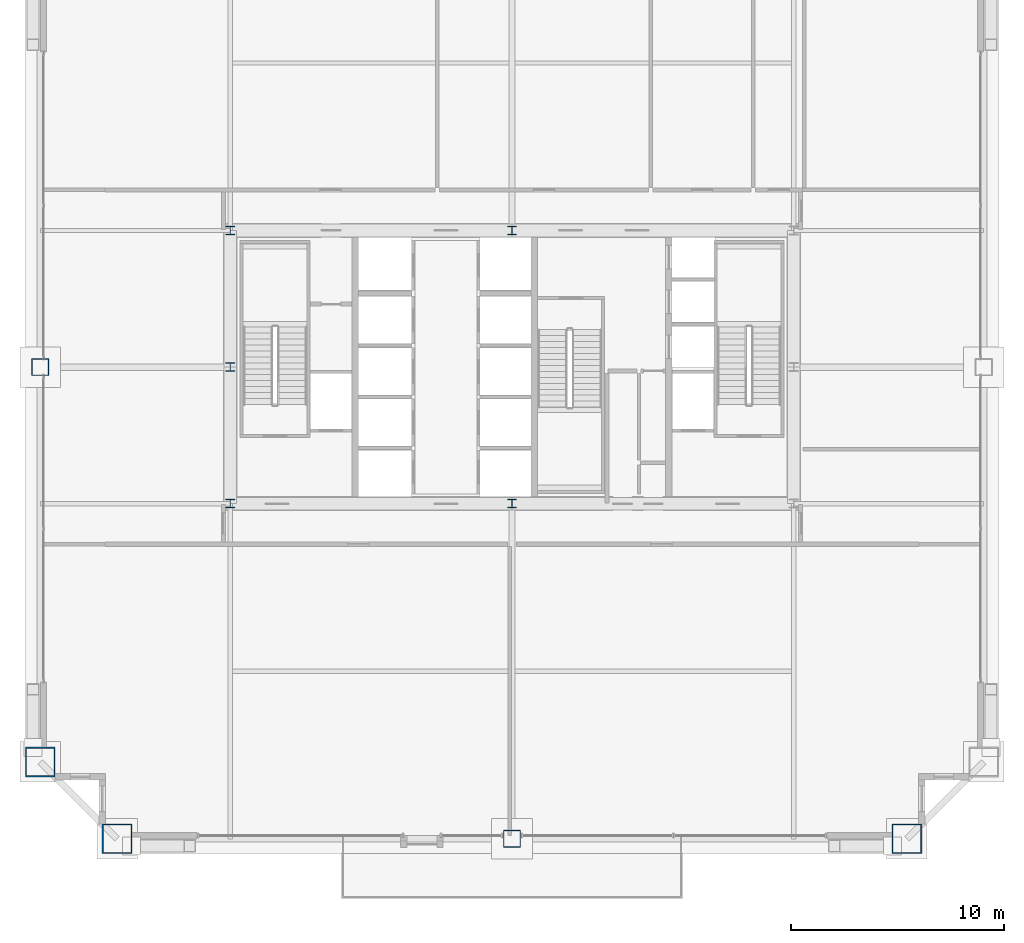
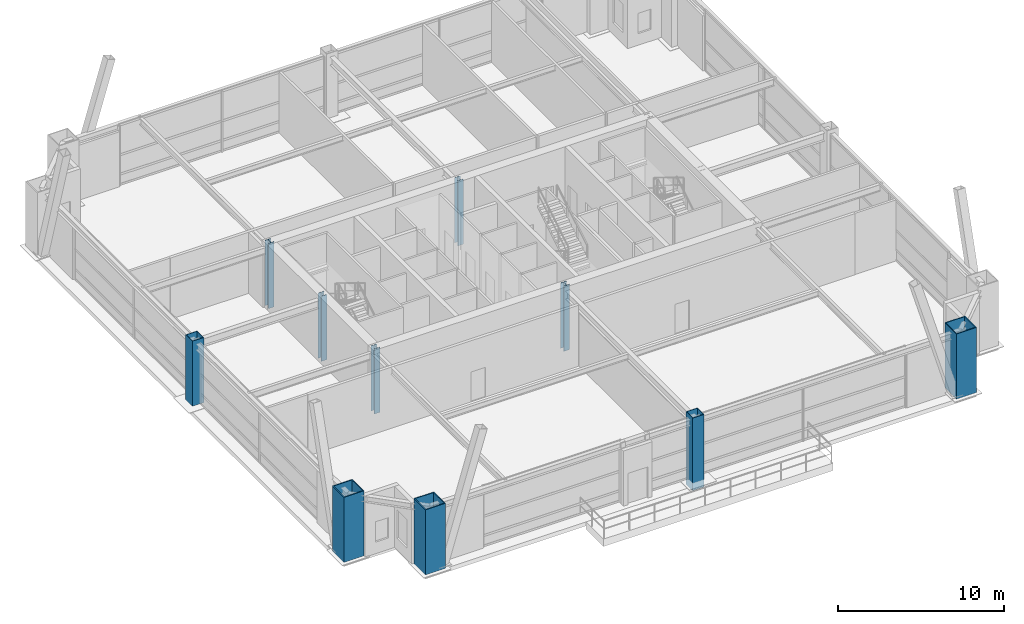
# One storey, part 1 of 34: 10 columns.
"""IFC4 building model written with IfcOpenShell, lengths in metres."""

from ifc_helpers import new_model, si_unit, direction, frame, origin, origin_2d, place, context, subcontext, project, spatial, hollow_rectangle, i_section, extrude, source, transform, mapped, material, material_profile, profile_set, type_object, element, save


model = new_model("IFC4")

# Units and contexts
model_context = context("Model", 3, precision=1e-05, world=origin(), true_north=direction((0.0, 1.0)))
body_context = subcontext(model_context, "Body", "Model", "MODEL_VIEW")
ifc_project = project(units=[si_unit("LENGTHUNIT", "METRE"), si_unit("AREAUNIT", "SQUARE_METRE"), si_unit("VOLUMEUNIT", "CUBIC_METRE"), si_unit("PLANEANGLEUNIT", "RADIAN"), si_unit("MASSUNIT", "GRAM", prefix="KILO"), si_unit("THERMODYNAMICTEMPERATUREUNIT", "KELVIN"), si_unit("POWERUNIT", "WATT")], contexts=[model_context])

# Site, building, storey
site_placement = place(None, origin())
site = spatial("IfcSite", under=ifc_project, at=site_placement, CompositionType="ELEMENT")
building_placement = place(site_placement, origin())
building = spatial("IfcBuilding", under=site, at=building_placement, Name="Yuzanri Waterfront Tower", CompositionType="ELEMENT")
storey_placement = place(building_placement, frame((0.0, 0.0, 166.800048828125)))
storey = spatial("IfcBuildingStorey", under=building, at=storey_placement, Name="L44", CompositionType="ELEMENT", Elevation=166.800048828125)

# Columns
ifc_material_1 = material(Name="Steel Q355B", Category="steel")
ifc_material_profile_1 = material_profile(ifc_material_1, i_section(OverallWidth=0.39990234375, OverallDepth=0.39990234375, WebThickness=0.012939453125, FlangeThickness=0.02099609375, at=origin_2d()), Name="HW 400x400x13x21")
ifc_profile_set_1 = profile_set([ifc_material_profile_1], Name="Steel Q355B")
column_type_1 = type_object("IfcColumnType", Name="Core Post Q355B HW 400x400x13x21", PredefinedType="COLUMN", material=ifc_profile_set_1)
shared_shape_1 = source(origin(), body_context, "Body", "SweptSolid", [
    extrude(i_section(OverallWidth=0.39990234375, OverallDepth=0.39990234375, WebThickness=0.012939453125, FlangeThickness=0.02099609375, at=origin_2d()), origin(), (0.0, 0.0, 1.0), 4.800048828125),
])
for number, where, z_axis, x_axis, name in (
    (1, (23.800048828125, 19.39990234375, 0.0), (0.0, 0.0, 1.0), (1.0, 0.0, 0.0), "L44 Core Boundary Column CP1"),
    (2, (37.0, 19.39990234375, 0.0), (0.0, 0.0, 1.0), (1.0, 0.0, 0.0), "L44 Core Boundary Column CP2"),
    (3, (23.800048828125, 25.800048828125, 0.0), (0.0, 0.0, 1.0), (1.0, 0.0, 0.0), "L44 Core Boundary Column CP4"),
    (4, (23.800048828125, 32.199951171875, 0.0), (0.0, 0.0, 1.0), (1.0, 0.0, 0.0), "L44 Core Boundary Column CP6"),
    (5, (37.0, 32.199951171875, 0.0), (0.0, 0.0, 1.0), (1.0, 0.0, 0.0), "L44 Core Boundary Column CP7"),
):
    element("IfcColumn", number, at=place(storey_placement, frame(where, z_axis=z_axis, x_axis=x_axis)), inside=storey, type_object=column_type_1, Name=name, PredefinedType="COLUMN", context=body_context, shape_type="MappedRepresentation", body=[
        mapped(shared_shape_1, transform((0.0, 0.0, 0.0), scale=1.0)),
    ])
ifc_material_2 = material(Name="Steel Q420GJC", Category="steel")
ifc_material_profile_2 = material_profile(ifc_material_2, hollow_rectangle(XDim=1.39990234375, YDim=1.39990234375, WallThickness=0.06005859375, at=origin_2d()), Name="RHS 1400x1400x60")
ifc_profile_set_2 = profile_set([ifc_material_profile_2], Name="Steel Q420GJC")
column_type_2 = type_object("IfcColumnType", Name="Mega Column Q420GJC RHS 1400x1400x60", PredefinedType="COLUMN", material=ifc_profile_set_2)
shared_shape_2 = source(origin(), body_context, "Body", "SweptSolid", [
    extrude(hollow_rectangle(XDim=1.39990234375, YDim=1.39990234375, WallThickness=0.06005859375, at=origin_2d()), origin(), (0.0, 0.0, 1.0), 4.800048828125),
])
for number, where, z_axis, x_axis, name in (
    (6, (18.5, 3.699951171875, 0.0), (0.0, 0.0, 1.0), (1.0, 0.0, 0.0), "L44 Perimeter Mega Column S1"),
    (7, (55.5, 3.699951171875, 0.0), (0.0, 0.0, 1.0), (1.0, 0.0, 0.0), "L44 Perimeter Mega Column S3"),
    (8, (14.89990234375, 7.300048828125, 0.0), (0.0, 0.0, 1.0), (1.0, 0.0, 0.0), "L44 Perimeter Mega Column W1"),
):
    element("IfcColumn", number, at=place(storey_placement, frame(where, z_axis=z_axis, x_axis=x_axis)), inside=storey, type_object=column_type_2, Name=name, PredefinedType="COLUMN", context=body_context, shape_type="MappedRepresentation", body=[
        mapped(shared_shape_2, transform((0.0, 0.0, 0.0), scale=1.0)),
    ])
ifc_material_3 = material(Name="Steel Q390GJC", Category="steel")
ifc_material_profile_3 = material_profile(ifc_material_3, hollow_rectangle(XDim=0.800048828125, YDim=0.800048828125, WallThickness=0.035888671875, at=origin_2d()), Name="RHS 800x800x36")
ifc_profile_set_3 = profile_set([ifc_material_profile_3], Name="Steel Q390GJC")
column_type_3 = type_object("IfcColumnType", Name="Frame Column Q390GJC RHS 800x800x36", PredefinedType="COLUMN", material=ifc_profile_set_3)
shared_shape_3 = source(origin(), body_context, "Body", "SweptSolid", [
    extrude(hollow_rectangle(XDim=0.800048828125, YDim=0.800048828125, WallThickness=0.035888671875, at=origin_2d()), origin(), (0.0, 0.0, 1.0), 5.35009765625),
])
column_1_placement = place(storey_placement, frame((37.0, 3.699951171875, -0.550048828125), z_axis=(0.0, 0.0, 1.0), x_axis=(1.0, 0.0, 0.0)))
element("IfcColumn", 9, at=column_1_placement, inside=storey, type_object=column_type_3, Name="L44 Perimeter Frame Column S2", PredefinedType="COLUMN", context=body_context, shape_type="MappedRepresentation", body=[
    mapped(shared_shape_3, transform((0.0, 0.0, 0.0), scale=1.0)),
])
shared_shape_4 = source(origin(), body_context, "Body", "SweptSolid", [
    extrude(hollow_rectangle(XDim=0.800048828125, YDim=0.800048828125, WallThickness=0.035888671875, at=origin_2d()), origin(), (0.0, 0.0, 1.0), 4.800048828125),
])
column_2_placement = place(storey_placement, frame((14.89990234375, 25.800048828125, 0.0), z_axis=(0.0, 0.0, 1.0), x_axis=(1.0, 0.0, 0.0)))
element("IfcColumn", 10, at=column_2_placement, inside=storey, type_object=column_type_3, Name="L44 Perimeter Frame Column W2", PredefinedType="COLUMN", context=body_context, shape_type="MappedRepresentation", body=[
    mapped(shared_shape_4, transform((0.0, 0.0, 0.0), scale=1.0)),
])

save(model, "model.ifc")
